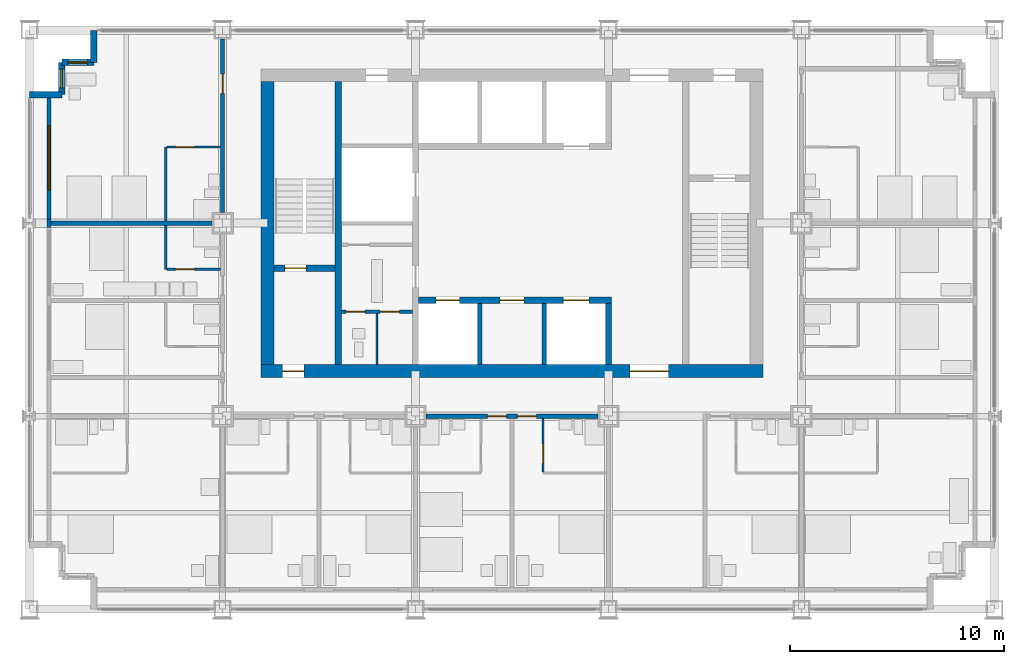
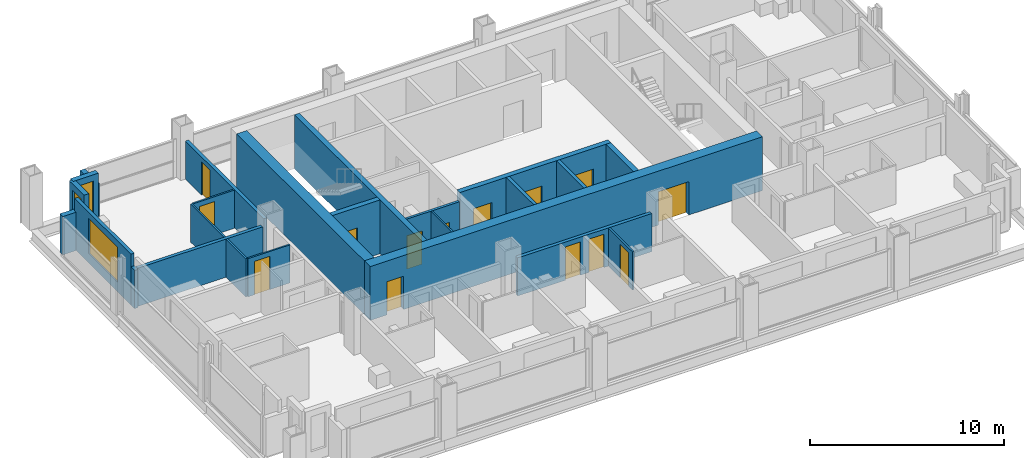
# One storey, part 8 of 13: 24 walls, 14 doors, 3 windows, 17 openings.
"""IFC4 building model written with IfcOpenShell, lengths in metres."""

import ifcopenshell
import ifcopenshell.guid

model = None  # the IFC model being written
_history = None  # IfcOwnerHistory: only IFC2X3 demands one
_inside = {}  # id of a spatial element -> (the spatial element, [elements in it])
_under = {}  # id of a project, library or spatial element -> (it, [spatial elements below it])
_declared = {}  # id of a project -> (the project, [libraries it declares])
_typed = {}  # id of a type object -> (the type object, [elements of that type])
_made_of = {}  # id of a material, layer set ... -> (it, [elements and type objects made of it])


def new_model(schema):
    """Start an empty IFC model of exactly this schema.

    Asked for "IFC4X3", IfcOpenShell would pick the latest addendum, in which some entities
    have other attributes; the version numbers below select the first issue.
    IFC2X3 requires an IfcOwnerHistory on every rooted entity: one is made here for all.
    """
    global model, _history
    if schema == "IFC4X3":
        model = ifcopenshell.file(schema_version=(4, 3, 0, 0))
    else:
        model = ifcopenshell.file(schema=schema)
    _inside.clear()
    _under.clear()
    _declared.clear()
    _typed.clear()
    _made_of.clear()
    _history = None
    if model.schema == "IFC2X3":
        org = make("IfcOrganization", Name="unknown")
        user = make(
            "IfcPersonAndOrganization",
            ThePerson=make("IfcPerson", FamilyName="unknown"),
            TheOrganization=org,
        )
        app = make(
            "IfcApplication",
            ApplicationDeveloper=org,
            Version="unknown",
            ApplicationFullName="unknown",
            ApplicationIdentifier="unknown",
        )
        _history = make(
            "IfcOwnerHistory",
            OwningUser=user,
            OwningApplication=app,
            ChangeAction="ADDED",
            CreationDate=0,
        )
    return model


def make(cls, **values):
    """One entity of the class cls with the attributes given. An attribute that is None is left unset."""
    return model.create_entity(
        cls, **{name: value for name, value in values.items() if value is not None}
    )


def rooted(cls, **values):
    """An entity with a GlobalId (a new one), such as an element, a storey or a relation."""
    return make(cls, GlobalId=ifcopenshell.guid.new(), OwnerHistory=_history, **values)


def si_unit(unit_type, name, prefix=None):
    """IfcSIUnit, for example si_unit("LENGTHUNIT", "METRE", prefix="MILLI")."""
    return make("IfcSIUnit", UnitType=unit_type, Prefix=prefix, Name=name)


def assignment(units):
    """IfcUnitAssignment: the units of a project."""
    return None if units is None else make("IfcUnitAssignment", Units=units)


def point(xyz):
    """IfcCartesianPoint."""
    return None if xyz is None else make("IfcCartesianPoint", Coordinates=xyz)


def direction(xyz):
    """IfcDirection."""
    return None if xyz is None else make("IfcDirection", DirectionRatios=xyz)


def frame(location, z_axis=None, x_axis=None):
    """IfcAxis2Placement3D, a coordinate frame: its origin and axes. An axis left out is left unset."""
    return make(
        "IfcAxis2Placement3D",
        Location=point(location),
        Axis=direction(z_axis),
        RefDirection=direction(x_axis),
    )


def frame_2d(location, x_axis=None):
    """IfcAxis2Placement2D, a coordinate frame in the plane: its origin and x axis."""
    return make(
        "IfcAxis2Placement2D", Location=point(location), RefDirection=direction(x_axis)
    )


def origin():
    """The frame at (0, 0, 0) with its axes left unset."""
    return frame((0.0, 0.0, 0.0))


def place(relative_to, where):
    """IfcLocalPlacement: puts the frame where relative to a parent placement (None: the world)."""
    return make(
        "IfcLocalPlacement", PlacementRelTo=relative_to, RelativePlacement=where
    )


def context(
    kind, dimensions, precision=None, world=None, true_north=None, identifier=None
):
    """IfcGeometricRepresentationContext, for example the 3D "Model" context."""
    return make(
        "IfcGeometricRepresentationContext",
        ContextIdentifier=identifier,
        ContextType=kind,
        CoordinateSpaceDimension=dimensions,
        Precision=precision,
        WorldCoordinateSystem=world,
        TrueNorth=true_north,
    )


def subcontext(parent, identifier, kind, view, scale=None):
    """IfcGeometricRepresentationSubContext, for example "Body" below "Model"."""
    return make(
        "IfcGeometricRepresentationSubContext",
        ContextIdentifier=identifier,
        ContextType=kind,
        ParentContext=parent,
        TargetScale=scale,
        TargetView=view,
    )


def project(units=None, contexts=None):
    """IfcProject with its units and contexts."""
    return rooted(
        "IfcProject",
        Name="project",
        RepresentationContexts=contexts,
        UnitsInContext=assignment(units),
    )


def spatial(cls, under=None, at=None, **own):
    """A site, building, storey or space (cls), placed at a placement, below another one or the project."""
    s = rooted(cls, ObjectPlacement=at, **own)
    if under is not None:
        _under.setdefault(under.id(), (under, []))[1].append(s)
    return s


def profile(cls, at=None, kind="AREA", **sizes):
    """A parametric profile (cls). Its sizes go by their IFC names, for example OverallWidth=200.0."""
    return make(cls, ProfileType=kind, Position=at, **sizes)


def rectangle(**sizes):
    """IfcRectangleProfileDef."""
    return profile("IfcRectangleProfileDef", **sizes)


def extrude(swept, where, along, depth):
    """IfcExtrudedAreaSolid: the profile swept, set in the frame where, extruded along a direction by depth."""
    return make(
        "IfcExtrudedAreaSolid",
        SweptArea=swept,
        Position=where,
        ExtrudedDirection=direction(along),
        Depth=depth,
    )


def shape(context_of_items, identifier, shape_type, items):
    """IfcShapeRepresentation: the items that make up one representation, for example the "Body"."""
    return make(
        "IfcShapeRepresentation",
        ContextOfItems=context_of_items,
        RepresentationIdentifier=identifier,
        RepresentationType=shape_type,
        Items=items,
    )


def material(Name=None, Category=None):
    """IfcMaterial."""
    return make("IfcMaterial", Name=Name, Category=Category)


def layer(
    of_material, thickness, ventilated=None, Name=None, Category=None, Priority=None
):
    """IfcMaterialLayer: one layer of a wall or slab, of a material (None: an air gap)."""
    return make(
        "IfcMaterialLayer",
        Material=of_material,
        LayerThickness=thickness,
        IsVentilated=ventilated,
        Name=Name,
        Category=Category,
        Priority=Priority,
    )


def layer_set(layers, Name=None):
    """IfcMaterialLayerSet."""
    return make("IfcMaterialLayerSet", MaterialLayers=layers, LayerSetName=Name)


def made_of(thing, what):
    """Note that an element or type object is made of a material, layer set ...; save() writes the relation."""
    if what is not None:
        _made_of.setdefault(what.id(), (what, []))[1].append(thing)
    return thing


def type_object(cls, material=None, **own):
    """A type object (cls), such as IfcWallType, which elements share."""
    return made_of(rooted(cls, **own), material)


def element(
    cls,
    number,
    at=None,
    inside=None,
    cuts=None,
    type_object=None,
    material=None,
    context=None,
    identifier="Body",
    shape_type=None,
    held_by="IfcProductDefinitionShape",
    body=None,
    shapes=None,
    **own,
):
    """One element of the class cls, such as IfcWall. Its Tag is "e" and its number.

    at: its placement. inside: the storey or other place that contains it. cuts: it is an
    opening in that element (IfcRelVoidsElement). A single representation is given by context,
    identifier, shape_type and body (its items); several are given by shapes. held_by: the class
    of the entity that holds the representations. save() writes the other relations.
    """
    e = rooted(cls, Tag="e%d" % number, ObjectPlacement=at, **own)
    if body is not None:
        shapes = [shape(context, identifier, shape_type, body)]
    if shapes is not None:
        e.Representation = make(held_by, Representations=shapes)
    if inside is not None:
        _inside.setdefault(inside.id(), (inside, []))[1].append(e)
    if cuts is not None:
        rooted(
            "IfcRelVoidsElement", RelatingBuildingElement=cuts, RelatedOpeningElement=e
        )
    if type_object is not None:
        _typed.setdefault(type_object.id(), (type_object, []))[1].append(e)
    return made_of(e, material)


def fill(opening, filler):
    """IfcRelFillsElement: the door or window that sits in an opening."""
    return rooted(
        "IfcRelFillsElement",
        RelatingOpeningElement=opening,
        RelatedBuildingElement=filler,
    )


def aggregate(whole, parts):
    """IfcRelAggregates: a whole, such as a stair, and the parts it consists of."""
    return rooted("IfcRelAggregates", RelatingObject=whole, RelatedObjects=parts)


def save(model, path):
    """Write the relations noted so far, then the file.

    IfcRelAggregates (storeys below a building ...), IfcRelContainedInSpatialStructure (elements
    in a storey), IfcRelDefinesByType, IfcRelAssociatesMaterial and IfcRelDeclares: one each for
    every whole, place, type object, material and project.
    """
    for whole, parts in _under.values():
        aggregate(whole, parts)
    for where, things in _inside.values():
        rooted(
            "IfcRelContainedInSpatialStructure",
            RelatedElements=things,
            RelatingStructure=where,
        )
    for kind, things in _typed.values():
        rooted("IfcRelDefinesByType", RelatedObjects=things, RelatingType=kind)
    for what, things in _made_of.values():
        rooted("IfcRelAssociatesMaterial", RelatedObjects=things, RelatingMaterial=what)
    for by, libraries in _declared.values():
        rooted("IfcRelDeclares", RelatingContext=by, RelatedDefinitions=libraries)
    model.write(path)


model = new_model("IFC4")

# Units and contexts
model_context = context("Model", 3, precision=1e-05, world=origin(), true_north=direction((0.0, 1.0)))
body_context = subcontext(model_context, "Body", "Model", "MODEL_VIEW")
ifc_project = project(units=[si_unit("LENGTHUNIT", "METRE"), si_unit("AREAUNIT", "SQUARE_METRE"), si_unit("VOLUMEUNIT", "CUBIC_METRE"), si_unit("PLANEANGLEUNIT", "RADIAN"), si_unit("MASSUNIT", "GRAM", prefix="KILO")], contexts=[model_context])

# Site, building, storey
site_placement = place(None, origin())
site = spatial("IfcSite", under=ifc_project, at=site_placement, CompositionType="ELEMENT")
building_placement = place(site_placement, origin())
building = spatial("IfcBuilding", under=site, at=building_placement, Name="Loomwork Tower", CompositionType="ELEMENT")
storey_placement = place(building_placement, frame((0.0, 0.0, 163.800048828125)))
storey = spatial("IfcBuildingStorey", under=building, at=storey_placement, Name="L44", CompositionType="ELEMENT", Elevation=163.800048828125)

# Wall
ifc_material_1 = material(Name="Concrete 14000 psi (97 MPa)", Category="concrete")
ifc_layer_1 = layer(ifc_material_1, 0.300048828125)
ifc_layer_set_1 = layer_set([ifc_layer_1], Name="Core shear wall 300")
wall_type_1 = type_object("IfcWallType", Name="Core shear wall 300", PredefinedType="SHEAR", material=ifc_layer_set_1)
wall_1_placement = place(storey_placement, frame((14.39990234375, 11.39990234375, 0.0), z_axis=(0.0, 0.0, 1.0), x_axis=(0.0, 1.0, 0.0)))
element("IfcWall", 1, at=wall_1_placement, inside=storey, type_object=wall_type_1, Name="Stair A east wall L44", PredefinedType="SHEAR", context=body_context, shape_type="SweptSolid", body=[
    extrude(rectangle(XDim=13.2001953125, YDim=0.300048828125, at=frame_2d((6.60009765625, 0.0))), origin(), (0.0, 0.0, 1.0), 3.39990234375),
])

# Wall, opening, door
wall_2_placement = place(storey_placement, frame((11.39990234375, 15.89990234375, 0.0), z_axis=(0.0, 0.0, 1.0), x_axis=(1.0, 0.0, 0.0)))
wall_2 = element("IfcWall", 2, at=wall_2_placement, inside=storey, type_object=wall_type_1, Name="Stair A south wall L44", PredefinedType="SHEAR", context=body_context, shape_type="SweptSolid", body=[
    extrude(rectangle(XDim=2.85009765625, YDim=0.300048828125, at=frame_2d((1.425048828125, 0.0))), origin(), (0.0, 0.0, 1.0), 3.39990234375),
])
opening_1_placement = place(wall_2_placement, frame((0.5, 0.0, 0.0)))
opening_1 = element("IfcOpeningElement", 3, at=opening_1_placement, cuts=wall_2, Name="Opening D4", PredefinedType="OPENING", context=body_context, shape_type="SweptSolid", body=[
    extrude(rectangle(XDim=1.0, YDim=2.10009765625, at=frame_2d((0.5, 1.050048828125))), frame((0.0, 0.159912109375, 0.0), z_axis=(0.0, -1.0, 0.0), x_axis=(1.0, 0.0, 0.0)), (0.0, 0.0, 1.0), 0.320068359375),
])
ifc_material_2 = material(Name="Hollow metal door and frame")
door_type_1 = type_object("IfcDoorType", Name="Stair door 1000", OperationType="SINGLE_SWING_RIGHT", PredefinedType="DOOR", material=ifc_material_2)
door_1_placement = place(opening_1_placement, origin())
door_1 = element("IfcDoor", 4, at=door_1_placement, inside=storey, type_object=door_type_1, Name="Stair A door", OperationType="SINGLE_SWING_LEFT", OverallHeight=2.10009765625, OverallWidth=1.0, PredefinedType="DOOR", context=body_context, shape_type="SweptSolid", body=[
    extrude(rectangle(XDim=1.0, YDim=2.10009765625, at=frame_2d((0.5, 1.050048828125))), frame((0.0, 0.02490234375, 0.0), z_axis=(0.0, -1.0, 0.0), x_axis=(1.0, 0.0, 0.0)), (0.0, 0.0, 1.0), 0.050048828125),
])
fill(opening_1, door_1)

# Wall, openings, doors
wall_3_placement = place(storey_placement, frame((18.14990234375, 14.39990234375, 0.0), z_axis=(0.0, 0.0, 1.0), x_axis=(1.0, 0.0, 0.0)))
wall_3 = element("IfcWall", 5, at=wall_3_placement, inside=storey, type_object=wall_type_1, Name="Lift front wall south L44", PredefinedType="SHEAR", context=body_context, shape_type="SweptSolid", body=[
    extrude(rectangle(XDim=9.0, YDim=0.300048828125, at=frame_2d((4.5, 0.0))), origin(), (0.0, 0.0, 1.0), 3.39990234375),
])
opening_2_placement = place(wall_3_placement, frame((0.800048828125, 0.0, 0.0)))
opening_2 = element("IfcOpeningElement", 6, at=opening_2_placement, cuts=wall_3, Name="Opening LD1", PredefinedType="OPENING", context=body_context, shape_type="SweptSolid", body=[
    extrude(rectangle(XDim=1.10009765625, YDim=2.10009765625, at=frame_2d((0.550048828125, 1.050048828125))), frame((0.0, 0.159912109375, 0.0), z_axis=(0.0, -1.0, 0.0), x_axis=(1.0, 0.0, 0.0)), (0.0, 0.0, 1.0), 0.320068359375),
])
opening_3_placement = place(wall_3_placement, frame((6.75, 0.0, 0.0)))
opening_3 = element("IfcOpeningElement", 7, at=opening_3_placement, cuts=wall_3, Name="Opening LD2", PredefinedType="OPENING", context=body_context, shape_type="SweptSolid", body=[
    extrude(rectangle(XDim=1.199951171875, YDim=2.10009765625, at=frame_2d((0.60009765625, 1.050048828125))), frame((0.0, 0.159912109375, 0.0), z_axis=(0.0, -1.0, 0.0), x_axis=(1.0, 0.0, 0.0)), (0.0, 0.0, 1.0), 0.320068359375),
])
opening_4_placement = place(wall_3_placement, frame((3.800048828125, 0.0, 0.0)))
opening_4 = element("IfcOpeningElement", 8, at=opening_4_placement, cuts=wall_3, Name="Opening D17", PredefinedType="OPENING", context=body_context, shape_type="SweptSolid", body=[
    extrude(rectangle(XDim=1.10009765625, YDim=2.10009765625, at=frame_2d((0.550048828125, 1.050048828125))), frame((0.0, 0.159912109375, 0.0), z_axis=(0.0, -1.0, 0.0), x_axis=(1.0, 0.0, 0.0)), (0.0, 0.0, 1.0), 0.320068359375),
])
ifc_material_3 = material(Name="Hollow metal door and frame")
door_type_2 = type_object("IfcDoorType", Name="Lift landing door 1100", OperationType="SLIDING_TO_LEFT", PredefinedType="DOOR", material=ifc_material_3)
door_2_placement = place(opening_2_placement, origin())
door_2 = element("IfcDoor", 9, at=door_2_placement, inside=storey, type_object=door_type_2, Name="Lift landing door LC1", OperationType="SLIDING_TO_LEFT", OverallHeight=2.10009765625, OverallWidth=1.10009765625, PredefinedType="DOOR", context=body_context, shape_type="SweptSolid", body=[
    extrude(rectangle(XDim=1.10009765625, YDim=2.10009765625, at=frame_2d((0.550048828125, 1.050048828125))), frame((0.0, 0.02490234375, 0.0), z_axis=(0.0, -1.0, 0.0), x_axis=(1.0, 0.0, 0.0)), (0.0, 0.0, 1.0), 0.050048828125),
])
fill(opening_2, door_2)
ifc_material_4 = material(Name="Hollow metal door and frame")
door_type_3 = type_object("IfcDoorType", Name="Lift landing door 1200", OperationType="SLIDING_TO_LEFT", PredefinedType="DOOR", material=ifc_material_4)
door_3_placement = place(opening_3_placement, origin())
door_3 = element("IfcDoor", 10, at=door_3_placement, inside=storey, type_object=door_type_3, Name="Lift landing door LF1", OperationType="SLIDING_TO_LEFT", OverallHeight=2.10009765625, OverallWidth=1.199951171875, PredefinedType="DOOR", context=body_context, shape_type="SweptSolid", body=[
    extrude(rectangle(XDim=1.199951171875, YDim=2.10009765625, at=frame_2d((0.60009765625, 1.050048828125))), frame((0.0, 0.02490234375, 0.0), z_axis=(0.0, -1.0, 0.0), x_axis=(1.0, 0.0, 0.0)), (0.0, 0.0, 1.0), 0.050048828125),
])
fill(opening_3, door_3)
ifc_material_5 = material(Name="Hollow metal door and frame")
door_type_4 = type_object("IfcDoorType", Name="Service room door 1100", OperationType="SINGLE_SWING_LEFT", PredefinedType="DOOR", material=ifc_material_5)
door_4_placement = place(opening_4_placement, frame((1.10009765625, 0.0, 0.0), z_axis=(0.0, 0.0, 1.0), x_axis=(-1.0, 0.0, 0.0)))
door_4 = element("IfcDoor", 11, at=door_4_placement, inside=storey, type_object=door_type_4, Name="Linen and housekeeping store door L44", OperationType="SINGLE_SWING_RIGHT", OverallHeight=2.10009765625, OverallWidth=1.10009765625, PredefinedType="DOOR", context=body_context, shape_type="SweptSolid", body=[
    extrude(rectangle(XDim=1.10009765625, YDim=2.10009765625, at=frame_2d((0.550048828125, 1.050048828125))), frame((0.0, 0.02490234375, 0.0), z_axis=(0.0, -1.0, 0.0), x_axis=(1.0, 0.0, 0.0)), (0.0, 0.0, 1.0), 0.050048828125),
])
fill(opening_4, door_4)

# Wall
wall_4_placement = place(storey_placement, frame((27.0, 11.39990234375, 0.0), z_axis=(0.0, 0.0, 1.0), x_axis=(0.0, 1.0, 0.0)))
element("IfcWall", 12, at=wall_4_placement, inside=storey, type_object=wall_type_1, Name="Lift shaft end wall south L44", PredefinedType="SHEAR", context=body_context, shape_type="SweptSolid", body=[
    extrude(rectangle(XDim=2.85009765625, YDim=0.300048828125, at=frame_2d((1.425048828125, 0.0))), origin(), (0.0, 0.0, 1.0), 3.39990234375),
])

# Wall, openings, doors
ifc_material_6 = material(Name="Concrete 14000 psi (97 MPa)", Category="concrete")
ifc_layer_2 = layer(ifc_material_6, 0.60009765625)
ifc_layer_set_2 = layer_set([ifc_layer_2], Name="Core shear wall 600")
wall_type_2 = type_object("IfcWallType", Name="Core shear wall 600", PredefinedType="SHEAR", material=ifc_layer_set_2)
wall_5_placement = place(storey_placement, frame((10.800048828125, 11.10009765625, 0.0), z_axis=(0.0, 0.0, 1.0), x_axis=(1.0, 0.0, 0.0)))
wall_5 = element("IfcWall", 13, at=wall_5_placement, inside=storey, type_object=wall_type_2, Name="Core wall south L44", PredefinedType="SHEAR", context=body_context, shape_type="SweptSolid", body=[
    extrude(rectangle(XDim=23.39990234375, YDim=0.60009765625, at=frame_2d((11.699951171875, 0.0))), origin(), (0.0, 0.0, 1.0), 3.39990234375),
])
opening_5_placement = place(wall_5_placement, frame((1.0, 0.0, 0.0)))
opening_5 = element("IfcOpeningElement", 14, at=opening_5_placement, cuts=wall_5, Name="Opening D4", PredefinedType="OPENING", context=body_context, shape_type="SweptSolid", body=[
    extrude(rectangle(XDim=1.0, YDim=2.10009765625, at=frame_2d((0.5, 1.050048828125))), frame((0.0, 0.31005859375, 0.0), z_axis=(0.0, -1.0, 0.0), x_axis=(1.0, 0.0, 0.0)), (0.0, 0.0, 1.0), 0.6201171875),
])
opening_6_placement = place(wall_5_placement, frame((17.199951171875, 0.0, 0.0)))
opening_6 = element("IfcOpeningElement", 15, at=opening_6_placement, cuts=wall_5, Name="Opening D6", PredefinedType="OPENING", context=body_context, shape_type="SweptSolid", body=[
    extrude(rectangle(XDim=1.800048828125, YDim=2.10009765625, at=frame_2d((0.89990234375, 1.050048828125))), frame((0.0, 0.31005859375, 0.0), z_axis=(0.0, -1.0, 0.0), x_axis=(1.0, 0.0, 0.0)), (0.0, 0.0, 1.0), 0.6201171875),
])
ifc_material_7 = material(Name="Hollow metal door and frame")
door_type_5 = type_object("IfcDoorType", Name="Lobby passage double door 1800", OperationType="DOUBLE_DOOR_SINGLE_SWING", PredefinedType="DOOR", material=ifc_material_7)
door_5_placement = place(opening_6_placement, origin())
door_5 = element("IfcDoor", 16, at=door_5_placement, inside=storey, type_object=door_type_5, Name="Lobby passage door south", OperationType="DOUBLE_DOOR_SINGLE_SWING", OverallHeight=2.10009765625, OverallWidth=1.800048828125, PredefinedType="DOOR", context=body_context, shape_type="SweptSolid", body=[
    extrude(rectangle(XDim=1.800048828125, YDim=2.10009765625, at=frame_2d((0.89990234375, 1.050048828125))), frame((0.0, 0.02490234375, 0.0), z_axis=(0.0, -1.0, 0.0), x_axis=(1.0, 0.0, 0.0)), (0.0, 0.0, 1.0), 0.050048828125),
])
fill(opening_6, door_5)
door_6_placement = place(opening_5_placement, origin())
door_6 = element("IfcDoor", 17, at=door_6_placement, inside=storey, type_object=door_type_1, Name="Stair A vestibule door", OperationType="SINGLE_SWING_LEFT", OverallHeight=2.10009765625, OverallWidth=1.0, PredefinedType="DOOR", context=body_context, shape_type="SweptSolid", body=[
    extrude(rectangle(XDim=1.0, YDim=2.10009765625, at=frame_2d((0.5, 1.050048828125))), frame((0.0, 0.02490234375, 0.0), z_axis=(0.0, -1.0, 0.0), x_axis=(1.0, 0.0, 0.0)), (0.0, 0.0, 1.0), 0.050048828125),
])
fill(opening_5, door_6)

# Wall
wall_6_placement = place(storey_placement, frame((11.10009765625, 11.39990234375, 0.0), z_axis=(0.0, 0.0, 1.0), x_axis=(0.0, 1.0, 0.0)))
element("IfcWall", 18, at=wall_6_placement, inside=storey, type_object=wall_type_2, Name="Core wall west L44", PredefinedType="SHEAR", context=body_context, shape_type="SweptSolid", body=[
    extrude(rectangle(XDim=13.2001953125, YDim=0.60009765625, at=frame_2d((6.60009765625, 0.0))), origin(), (0.0, 0.0, 1.0), 3.39990234375),
])

# Wall, openings, doors
ifc_material_8 = material(Name="Gypsum board on steel studs, one-hour", Category="steel")
ifc_layer_3 = layer(ifc_material_8, 0.199951171875)
ifc_layer_set_3 = layer_set([ifc_layer_3], Name="Corridor wall 200")
wall_type_3 = type_object("IfcWallType", Name="Corridor wall 200", PredefinedType="PARTITIONING", material=ifc_layer_set_3)
wall_7_placement = place(storey_placement, frame((18.5, 9.0, 0.0), z_axis=(0.0, 0.0, 1.0), x_axis=(1.0, 0.0, 0.0)))
wall_7 = element("IfcWall", 19, at=wall_7_placement, inside=storey, type_object=wall_type_3, Name="South corridor wall 3", PredefinedType="PARTITIONING", context=body_context, shape_type="SweptSolid", body=[
    extrude(rectangle(XDim=8.0, YDim=0.199951171875, at=frame_2d((4.0, 0.0))), origin(), (0.0, 0.0, 1.0), 2.405029296875),
])
opening_7_placement = place(wall_7_placement, frame((2.85009765625, 0.0, 0.0)))
opening_7 = element("IfcOpeningElement", 20, at=opening_7_placement, cuts=wall_7, Name="Opening D1", PredefinedType="OPENING", context=body_context, shape_type="SweptSolid", body=[
    extrude(rectangle(XDim=0.89990234375, YDim=2.10009765625, at=frame_2d((0.449951171875, 1.050048828125))), frame((0.0, 0.10986328125, 0.0), z_axis=(0.0, -1.0, 0.0), x_axis=(1.0, 0.0, 0.0)), (0.0, 0.0, 1.0), 0.219970703125),
])
opening_8_placement = place(wall_7_placement, frame((4.25, 0.0, 0.0)))
opening_8 = element("IfcOpeningElement", 21, at=opening_8_placement, cuts=wall_7, Name="Opening D1", PredefinedType="OPENING", context=body_context, shape_type="SweptSolid", body=[
    extrude(rectangle(XDim=0.89990234375, YDim=2.10009765625, at=frame_2d((0.449951171875, 1.050048828125))), frame((0.0, 0.10986328125, 0.0), z_axis=(0.0, -1.0, 0.0), x_axis=(1.0, 0.0, 0.0)), (0.0, 0.0, 1.0), 0.219970703125),
])
ifc_material_9 = material(Name="Hollow metal door and frame")
door_type_6 = type_object("IfcDoorType", Name="Guest room entry door 900", OperationType="SINGLE_SWING_LEFT", PredefinedType="DOOR", material=ifc_material_9)
door_7_placement = place(opening_7_placement, frame((0.89990234375, 0.0, 0.0), z_axis=(0.0, 0.0, 1.0), x_axis=(-1.0, 0.0, 0.0)))
door_7 = element("IfcDoor", 22, at=door_7_placement, inside=storey, type_object=door_type_6, Name="Guest room entry door L44 4", OperationType="SINGLE_SWING_LEFT", OverallHeight=2.10009765625, OverallWidth=0.89990234375, PredefinedType="DOOR", context=body_context, shape_type="SweptSolid", body=[
    extrude(rectangle(XDim=0.89990234375, YDim=2.10009765625, at=frame_2d((0.449951171875, 1.050048828125))), frame((0.0, 0.02490234375, 0.0), z_axis=(0.0, -1.0, 0.0), x_axis=(1.0, 0.0, 0.0)), (0.0, 0.0, 1.0), 0.050048828125),
])
fill(opening_7, door_7)
door_8_placement = place(opening_8_placement, frame((0.89990234375, 0.0, 0.0), z_axis=(0.0, 0.0, 1.0), x_axis=(-1.0, 0.0, 0.0)))
door_8 = element("IfcDoor", 23, at=door_8_placement, inside=storey, type_object=door_type_6, Name="Guest room entry door L44 5", OperationType="SINGLE_SWING_RIGHT", OverallHeight=2.10009765625, OverallWidth=0.89990234375, PredefinedType="DOOR", context=body_context, shape_type="SweptSolid", body=[
    extrude(rectangle(XDim=0.89990234375, YDim=2.10009765625, at=frame_2d((0.449951171875, 1.050048828125))), frame((0.0, 0.02490234375, 0.0), z_axis=(0.0, -1.0, 0.0), x_axis=(1.0, 0.0, 0.0)), (0.0, 0.0, 1.0), 0.050048828125),
])
fill(opening_8, door_8)

# Wall, opening, door
wall_8_placement = place(storey_placement, frame((9.0, 18.5, 0.0), z_axis=(0.0, 0.0, 1.0), x_axis=(0.0, 1.0, 0.0)))
wall_8 = element("IfcWall", 24, at=wall_8_placement, inside=storey, type_object=wall_type_3, Name="West corridor wall 2", PredefinedType="PARTITIONING", context=body_context, shape_type="SweptSolid", body=[
    extrude(rectangle(XDim=8.10009765625, YDim=0.199951171875, at=frame_2d((4.050048828125, 0.0))), origin(), (0.0, 0.0, 1.0), 2.405029296875),
])
opening_9_placement = place(wall_8_placement, frame((5.550048828125, 0.0, 0.0)))
opening_9 = element("IfcOpeningElement", 25, at=opening_9_placement, cuts=wall_8, Name="Opening D1", PredefinedType="OPENING", context=body_context, shape_type="SweptSolid", body=[
    extrude(rectangle(XDim=0.89990234375, YDim=2.10009765625, at=frame_2d((0.449951171875, 1.050048828125))), frame((0.0, 0.10986328125, 0.0), z_axis=(0.0, -1.0, 0.0), x_axis=(1.0, 0.0, 0.0)), (0.0, 0.0, 1.0), 0.219970703125),
])
door_9_placement = place(opening_9_placement, origin())
door_9 = element("IfcDoor", 26, at=door_9_placement, inside=storey, type_object=door_type_6, Name="Guest room entry door L44 10", OperationType="SINGLE_SWING_RIGHT", OverallHeight=2.10009765625, OverallWidth=0.89990234375, PredefinedType="DOOR", context=body_context, shape_type="SweptSolid", body=[
    extrude(rectangle(XDim=0.89990234375, YDim=2.10009765625, at=frame_2d((0.449951171875, 1.050048828125))), frame((0.0, 0.02490234375, 0.0), z_axis=(0.0, -1.0, 0.0), x_axis=(1.0, 0.0, 0.0)), (0.0, 0.0, 1.0), 0.050048828125),
])
fill(opening_9, door_9)

ifc_material_10 = material(Name="Cement board on steel studs", Category="steel")
ifc_layer_4 = layer(ifc_material_10, 0.10009765625)
ifc_layer_set_4 = layer_set([ifc_layer_4], Name="En-suite partition 100")
wall_type_4 = type_object("IfcWallType", Name="En-suite partition 100", PredefinedType="PARTITIONING", material=ifc_layer_set_4)
wall_9_placement = place(storey_placement, frame((23.949951171875, 8.89990234375, 0.0), z_axis=(0.0, 0.0, 1.0), x_axis=(0.0, -1.0, 0.0)))
wall_9 = element("IfcWall", 27, at=wall_9_placement, inside=storey, type_object=wall_type_4, Name="En-suite side wall L44 room 5", PredefinedType="PARTITIONING", context=body_context, shape_type="SweptSolid", body=[
    extrude(rectangle(XDim=2.5, YDim=0.10009765625, at=frame_2d((1.25, 0.0))), origin(), (0.0, 0.0, 1.0), 2.404052734375),
])
opening_10_placement = place(wall_9_placement, frame((1.199951171875, 0.0, 0.0)))
opening_10 = element("IfcOpeningElement", 28, at=opening_10_placement, cuts=wall_9, Name="Opening D2", PredefinedType="OPENING", context=body_context, shape_type="SweptSolid", body=[
    extrude(rectangle(XDim=0.89990234375, YDim=2.10009765625, at=frame_2d((0.449951171875, 1.050048828125))), frame((0.0, 0.06005859375, 0.0), z_axis=(0.0, -1.0, 0.0), x_axis=(1.0, 0.0, 0.0)), (0.0, 0.0, 1.0), 0.1201171875),
])
ifc_material_11 = material(Name="Hollow metal door and frame")
door_type_7 = type_object("IfcDoorType", Name="En-suite door 900", OperationType="SINGLE_SWING_LEFT", PredefinedType="DOOR", material=ifc_material_11)
door_10_placement = place(opening_10_placement, origin())
door_10 = element("IfcDoor", 29, at=door_10_placement, inside=storey, type_object=door_type_7, Name="En-suite door room 5", OperationType="SINGLE_SWING_RIGHT", OverallHeight=2.10009765625, OverallWidth=0.89990234375, PredefinedType="DOOR", context=body_context, shape_type="SweptSolid", body=[
    extrude(rectangle(XDim=0.89990234375, YDim=2.10009765625, at=frame_2d((0.449951171875, 1.050048828125))), frame((0.0, 0.02490234375, 0.0), z_axis=(0.0, -1.0, 0.0), x_axis=(1.0, 0.0, 0.0)), (0.0, 0.0, 1.0), 0.050048828125),
])
fill(opening_10, door_10)

# Wall
wall_10_placement = place(storey_placement, frame((6.35009765625, 15.85009765625, 0.0), z_axis=(0.0, 0.0, 1.0), x_axis=(0.0, 1.0, 0.0)))
element("IfcWall", 30, at=wall_10_placement, inside=storey, type_object=wall_type_4, Name="En-suite wall L44 room 9", PredefinedType="PARTITIONING", context=body_context, shape_type="SweptSolid", body=[
    extrude(rectangle(XDim=2.0498046875, YDim=0.10009765625, at=frame_2d((1.02490234375, 0.0))), origin(), (0.0, 0.0, 1.0), 2.404052734375),
])

# Wall, opening, door
wall_11_placement = place(storey_placement, frame((8.89990234375, 15.85009765625, 0.0), z_axis=(0.0, 0.0, 1.0), x_axis=(-1.0, 0.0, 0.0)))
wall_11 = element("IfcWall", 31, at=wall_11_placement, inside=storey, type_object=wall_type_4, Name="En-suite side wall L44 room 9", PredefinedType="PARTITIONING", context=body_context, shape_type="SweptSolid", body=[
    extrude(rectangle(XDim=2.5, YDim=0.10009765625, at=frame_2d((1.25, 0.0))), origin(), (0.0, 0.0, 1.0), 2.404052734375),
])
opening_11_placement = place(wall_11_placement, frame((1.199951171875, 0.0, 0.0)))
opening_11 = element("IfcOpeningElement", 32, at=opening_11_placement, cuts=wall_11, Name="Opening D2", PredefinedType="OPENING", context=body_context, shape_type="SweptSolid", body=[
    extrude(rectangle(XDim=0.89990234375, YDim=2.10009765625, at=frame_2d((0.449951171875, 1.050048828125))), frame((0.0, 0.06005859375, 0.0), z_axis=(0.0, -1.0, 0.0), x_axis=(1.0, 0.0, 0.0)), (0.0, 0.0, 1.0), 0.1201171875),
])
door_11_placement = place(opening_11_placement, frame((0.89990234375, 0.0, 0.0), z_axis=(0.0, 0.0, 1.0), x_axis=(-1.0, 0.0, 0.0)))
door_11 = element("IfcDoor", 33, at=door_11_placement, inside=storey, type_object=door_type_7, Name="En-suite door room 9", OperationType="SINGLE_SWING_LEFT", OverallHeight=2.10009765625, OverallWidth=0.89990234375, PredefinedType="DOOR", context=body_context, shape_type="SweptSolid", body=[
    extrude(rectangle(XDim=0.89990234375, YDim=2.10009765625, at=frame_2d((0.449951171875, 1.050048828125))), frame((0.0, 0.02490234375, 0.0), z_axis=(0.0, -1.0, 0.0), x_axis=(1.0, 0.0, 0.0)), (0.0, 0.0, 1.0), 0.050048828125),
])
fill(opening_11, door_11)

# Wall
wall_12_placement = place(storey_placement, frame((6.35009765625, 18.10009765625, 0.0), z_axis=(0.0, 0.0, 1.0), x_axis=(0.0, 1.0, 0.0)))
element("IfcWall", 34, at=wall_12_placement, inside=storey, type_object=wall_type_4, Name="En-suite wall L44 room 10", PredefinedType="PARTITIONING", context=body_context, shape_type="SweptSolid", body=[
    extrude(rectangle(XDim=3.449951171875, YDim=0.10009765625, at=frame_2d((1.72509765625, 0.0))), origin(), (0.0, 0.0, 1.0), 2.404052734375),
])

# Wall, opening, door
wall_13_placement = place(storey_placement, frame((8.89990234375, 21.550048828125, 0.0), z_axis=(0.0, 0.0, 1.0), x_axis=(-1.0, 0.0, 0.0)))
wall_13 = element("IfcWall", 35, at=wall_13_placement, inside=storey, type_object=wall_type_4, Name="En-suite side wall L44 room 10", PredefinedType="PARTITIONING", context=body_context, shape_type="SweptSolid", body=[
    extrude(rectangle(XDim=2.5, YDim=0.10009765625, at=frame_2d((1.25, 0.0))), origin(), (0.0, 0.0, 1.0), 2.404052734375),
])
opening_12_placement = place(wall_13_placement, frame((1.199951171875, 0.0, 0.0)))
opening_12 = element("IfcOpeningElement", 36, at=opening_12_placement, cuts=wall_13, Name="Opening D2", PredefinedType="OPENING", context=body_context, shape_type="SweptSolid", body=[
    extrude(rectangle(XDim=0.89990234375, YDim=2.10009765625, at=frame_2d((0.449951171875, 1.050048828125))), frame((0.0, 0.06005859375, 0.0), z_axis=(0.0, -1.0, 0.0), x_axis=(1.0, 0.0, 0.0)), (0.0, 0.0, 1.0), 0.1201171875),
])
door_12_placement = place(opening_12_placement, origin())
door_12 = element("IfcDoor", 37, at=door_12_placement, inside=storey, type_object=door_type_7, Name="En-suite door room 10", OperationType="SINGLE_SWING_RIGHT", OverallHeight=2.10009765625, OverallWidth=0.89990234375, PredefinedType="DOOR", context=body_context, shape_type="SweptSolid", body=[
    extrude(rectangle(XDim=0.89990234375, YDim=2.10009765625, at=frame_2d((0.449951171875, 1.050048828125))), frame((0.0, 0.02490234375, 0.0), z_axis=(0.0, -1.0, 0.0), x_axis=(1.0, 0.0, 0.0)), (0.0, 0.0, 1.0), 0.050048828125),
])
fill(opening_12, door_12)

# Walls
wall_14_placement = place(storey_placement, frame((16.199951171875, 11.39990234375, 0.0), z_axis=(0.0, 0.0, 1.0), x_axis=(0.0, 1.0, 0.0)))
element("IfcWall", 38, at=wall_14_placement, inside=storey, type_object=wall_type_4, Name="Back-of-house partition L44 2", PredefinedType="PARTITIONING", context=body_context, shape_type="SweptSolid", body=[
    extrude(rectangle(XDim=2.400146484375, YDim=0.10009765625, at=frame_2d((1.2001953125, 0.0))), origin(), (0.0, 0.0, 1.0), 3.199951171875),
])
ifc_material_12 = material(Name="Gypsum board on steel studs, acoustic", Category="steel")
ifc_layer_5 = layer(ifc_material_12, 0.199951171875)
ifc_layer_set_5 = layer_set([ifc_layer_5], Name="Guest room party wall 200")
wall_type_5 = type_object("IfcWallType", Name="Guest room party wall 200", PredefinedType="PARTITIONING", material=ifc_layer_set_5)
wall_15_placement = place(storey_placement, frame((8.5, 18.0, 0.0), z_axis=(0.0, 0.0, 1.0), x_axis=(-1.0, 0.0, 0.0)))
element("IfcWall", 39, at=wall_15_placement, inside=storey, type_object=wall_type_5, Name="Guest room party wall W 18", PredefinedType="PARTITIONING", context=body_context, shape_type="SweptSolid", body=[
    extrude(rectangle(XDim=7.5, YDim=0.199951171875, at=frame_2d((3.75, 0.0))), origin(), (0.0, 0.0, 1.0), 2.405029296875),
])
ifc_material_13 = material(Name="Insulated steel stud wall with gypsum lining", Category="steel")
ifc_layer_6 = layer(ifc_material_13, 0.199951171875)
ifc_layer_set_6 = layer_set([ifc_layer_6], Name="Inner skin wall 200")
wall_type_6 = type_object("IfcWallType", Name="Inner skin wall 200", PredefinedType="SOLIDWALL", material=ifc_layer_set_6)
wall_16_placement = place(storey_placement, frame((0.89990234375, 17.80615234375, 0.0), z_axis=(0.0, 0.0, 1.0), x_axis=(0.0, 1.0, 0.0)))
element("IfcWall", 40, at=wall_16_placement, inside=storey, type_object=wall_type_6, Name="Inner skin wall W bay 6", PredefinedType="SOLIDWALL", context=body_context, shape_type="SweptSolid", body=[
    extrude(rectangle(XDim=0.3876953125, YDim=0.199951171875, at=frame_2d((0.19384765625, 0.0))), origin(), (0.0, 0.0, 1.0), 2.404052734375),
])

# Wall, opening, window
wall_17_placement = place(storey_placement, frame((0.89990234375, 18.19384765625, 0.0), z_axis=(0.0, 0.0, 1.0), x_axis=(0.0, 1.0, 0.0)))
wall_17 = element("IfcWall", 41, at=wall_17_placement, inside=storey, type_object=wall_type_6, Name="Inner skin wall W bay 7", PredefinedType="SOLIDWALL", context=body_context, shape_type="SweptSolid", body=[
    extrude(rectangle(XDim=5.80615234375, YDim=0.199951171875, at=frame_2d((2.903076171875, 0.0))), origin(), (0.0, 0.0, 1.0), 3.199951171875),
])
opening_13_placement = place(wall_17_placement, frame((1.356201171875, 0.0, 0.60009765625)))
opening_13 = element("IfcOpeningElement", 42, at=opening_13_placement, cuts=wall_17, Name="Opening CH1", PredefinedType="OPENING", context=body_context, shape_type="SweptSolid", body=[
    extrude(rectangle(XDim=3.0, YDim=2.199951171875, at=frame_2d((1.5, 1.10009765625))), frame((0.0, 0.10986328125, 0.0), z_axis=(0.0, -1.0, 0.0), x_axis=(1.0, 0.0, 0.0)), (0.0, 0.0, 1.0), 0.219970703125),
])
ifc_material_14 = material(Name="Aluminium frame with clear insulated glass", Category="aluminium")
window_type_1 = type_object("IfcWindowType", Name="Chicago window 3000", PartitioningType="TRIPLE_PANEL_VERTICAL", PredefinedType="WINDOW", material=ifc_material_14)
window_1_placement = place(opening_13_placement, origin())
window_1 = element("IfcWindow", 43, at=window_1_placement, inside=storey, type_object=window_type_1, Name="Chicago window L44 bay 7", OverallHeight=2.199951171875, OverallWidth=3.0, PartitioningType="TRIPLE_PANEL_VERTICAL", PredefinedType="WINDOW", context=body_context, shape_type="SweptSolid", body=[
    extrude(rectangle(XDim=3.0, YDim=2.199951171875, at=frame_2d((1.5, 1.10009765625))), frame((0.0, 0.030029296875, 0.0), z_axis=(0.0, -1.0, 0.0), x_axis=(1.0, 0.0, 0.0)), (0.0, 0.0, 1.0), 0.06005859375),
])
fill(opening_13, window_1)

# Walls
ifc_material_15 = material(Name="Concrete 14000 psi (97 MPa)", Category="concrete")
ifc_layer_7 = layer(ifc_material_15, 0.199951171875)
ifc_layer_set_7 = layer_set([ifc_layer_7], Name="Lift shaft wall 200")
wall_type_7 = type_object("IfcWallType", Name="Lift shaft wall 200", PredefinedType="SHEAR", material=ifc_layer_set_7)
for number, where, z_axis, x_axis, name in (
    (44, (21.0, 11.39990234375, 0.0), (0.0, 0.0, 1.0), (0.0, 1.0, 0.0), "Lift shaft separation wall south 1 L44"),
    (45, (24.0, 11.39990234375, 0.0), (0.0, 0.0, 1.0), (0.0, 1.0, 0.0), "Lift shaft separation wall south 2 L44"),
):
    element("IfcWall", number, at=place(storey_placement, frame(where, z_axis=z_axis, x_axis=x_axis)), inside=storey, type_object=wall_type_7, Name=name, PredefinedType="SHEAR", context=body_context, shape_type="SweptSolid", body=[
        extrude(rectangle(XDim=2.85009765625, YDim=0.199951171875, at=frame_2d((1.425048828125, 0.0))), origin(), (0.0, 0.0, 1.0), 3.39990234375),
    ])
ifc_material_16 = material(Name="Limestone on concrete masonry", Category="masonry")
ifc_layer_8 = layer(ifc_material_16, 0.300048828125)
ifc_layer_set_8 = layer_set([ifc_layer_8], Name="Limestone corner wall 300")
wall_type_8 = type_object("IfcWallType", Name="Limestone corner wall 300", PredefinedType="SOLIDWALL", material=ifc_layer_set_8)
wall_18_placement = place(storey_placement, frame((3.0, 27.0, 0.0), z_axis=(0.0, 0.0, 1.0), x_axis=(0.0, -1.0, 0.0)))
element("IfcWall", 46, at=wall_18_placement, inside=storey, type_object=wall_type_8, Name="Stone corner wall NW 1", PredefinedType="SOLIDWALL", context=body_context, shape_type="SweptSolid", body=[
    extrude(rectangle(XDim=1.5, YDim=0.300048828125, at=frame_2d((0.75, 0.0))), origin(), (0.0, 0.0, 1.0), 2.419921875),
])

# Wall, opening, window
wall_19_placement = place(storey_placement, frame((3.0, 25.5, 0.0), z_axis=(0.0, 0.0, 1.0), x_axis=(-1.0, 0.0, 0.0)))
wall_19 = element("IfcWall", 47, at=wall_19_placement, inside=storey, type_object=wall_type_8, Name="Stone corner wall NW 2", PredefinedType="SOLIDWALL", context=body_context, shape_type="SweptSolid", body=[
    extrude(rectangle(XDim=1.5, YDim=0.300048828125, at=frame_2d((0.75, 0.0))), origin(), (0.0, 0.0, 1.0), 3.199951171875),
])
opening_14_placement = place(wall_19_placement, frame((0.300048828125, 0.0, 0.60009765625)))
opening_14 = element("IfcOpeningElement", 48, at=opening_14_placement, cuts=wall_19, Name="Opening CH2", PredefinedType="OPENING", context=body_context, shape_type="SweptSolid", body=[
    extrude(rectangle(XDim=0.89990234375, YDim=2.199951171875, at=frame_2d((0.449951171875, 1.10009765625))), frame((0.0, 0.159912109375, 0.0), z_axis=(0.0, -1.0, 0.0), x_axis=(1.0, 0.0, 0.0)), (0.0, 0.0, 1.0), 0.320068359375),
])
ifc_material_17 = material(Name="Aluminium frame with clear insulated glass", Category="aluminium")
window_type_2 = type_object("IfcWindowType", Name="Corner window 900", PartitioningType="SINGLE_PANEL", PredefinedType="WINDOW", material=ifc_material_17)
window_2_placement = place(opening_14_placement, origin())
window_2 = element("IfcWindow", 49, at=window_2_placement, inside=storey, type_object=window_type_2, Name="Corner window NW", OverallHeight=2.199951171875, OverallWidth=0.89990234375, PartitioningType="SINGLE_PANEL", PredefinedType="WINDOW", context=body_context, shape_type="SweptSolid", body=[
    extrude(rectangle(XDim=0.89990234375, YDim=2.199951171875, at=frame_2d((0.449951171875, 1.10009765625))), frame((0.0, 0.030029296875, 0.0), z_axis=(0.0, -1.0, 0.0), x_axis=(1.0, 0.0, 0.0)), (0.0, 0.0, 1.0), 0.06005859375),
])
fill(opening_14, window_2)

wall_20_placement = place(storey_placement, frame((1.5, 25.5, 0.0), z_axis=(0.0, 0.0, 1.0), x_axis=(0.0, -1.0, 0.0)))
wall_20 = element("IfcWall", 50, at=wall_20_placement, inside=storey, type_object=wall_type_8, Name="Stone corner wall NW 3", PredefinedType="SOLIDWALL", context=body_context, shape_type="SweptSolid", body=[
    extrude(rectangle(XDim=1.5, YDim=0.300048828125, at=frame_2d((0.75, 0.0))), origin(), (0.0, 0.0, 1.0), 3.199951171875),
])
opening_15_placement = place(wall_20_placement, frame((0.300048828125, 0.0, 0.60009765625)))
opening_15 = element("IfcOpeningElement", 51, at=opening_15_placement, cuts=wall_20, Name="Opening CH2", PredefinedType="OPENING", context=body_context, shape_type="SweptSolid", body=[
    extrude(rectangle(XDim=0.89990234375, YDim=2.199951171875, at=frame_2d((0.449951171875, 1.10009765625))), frame((0.0, 0.159912109375, 0.0), z_axis=(0.0, -1.0, 0.0), x_axis=(1.0, 0.0, 0.0)), (0.0, 0.0, 1.0), 0.320068359375),
])
window_3_placement = place(opening_15_placement, origin())
window_3 = element("IfcWindow", 52, at=window_3_placement, inside=storey, type_object=window_type_2, Name="Corner window NW", OverallHeight=2.199951171875, OverallWidth=0.89990234375, PartitioningType="SINGLE_PANEL", PredefinedType="WINDOW", context=body_context, shape_type="SweptSolid", body=[
    extrude(rectangle(XDim=0.89990234375, YDim=2.199951171875, at=frame_2d((0.449951171875, 1.10009765625))), frame((0.0, 0.030029296875, 0.0), z_axis=(0.0, -1.0, 0.0), x_axis=(1.0, 0.0, 0.0)), (0.0, 0.0, 1.0), 0.06005859375),
])
fill(opening_15, window_3)

# Wall
wall_21_placement = place(storey_placement, frame((1.5, 24.0, 0.0), z_axis=(0.0, 0.0, 1.0), x_axis=(-1.0, 0.0, 0.0)))
element("IfcWall", 53, at=wall_21_placement, inside=storey, type_object=wall_type_8, Name="Stone corner wall NW 4", PredefinedType="SOLIDWALL", context=body_context, shape_type="SweptSolid", body=[
    extrude(rectangle(XDim=1.5, YDim=0.300048828125, at=frame_2d((0.75, 0.0))), origin(), (0.0, 0.0, 1.0), 2.419921875),
])

# Wall, openings, doors
ifc_material_18 = material(Name="Gypsum board on steel studs, one-hour", Category="steel")
ifc_layer_9 = layer(ifc_material_18, 0.14990234375)
ifc_layer_set_9 = layer_set([ifc_layer_9], Name="Service partition 150")
wall_type_9 = type_object("IfcWallType", Name="Service partition 150", PredefinedType="PARTITIONING", material=ifc_layer_set_9)
wall_22_placement = place(storey_placement, frame((14.550048828125, 13.875, 0.0), z_axis=(0.0, 0.0, 1.0), x_axis=(1.0, 0.0, 0.0)))
wall_22 = element("IfcWall", 54, at=wall_22_placement, inside=storey, type_object=wall_type_9, Name="Back-of-house partition L44", PredefinedType="PARTITIONING", context=body_context, shape_type="SweptSolid", body=[
    extrude(rectangle(XDim=3.300048828125, YDim=0.14990234375, at=frame_2d((1.64990234375, 0.0))), origin(), (0.0, 0.0, 1.0), 3.199951171875),
])
opening_16_placement = place(wall_22_placement, frame((0.199951171875, 0.0, 0.0)))
opening_16 = element("IfcOpeningElement", 55, at=opening_16_placement, cuts=wall_22, Name="Opening D20", PredefinedType="OPENING", context=body_context, shape_type="SweptSolid", body=[
    extrude(rectangle(XDim=0.89990234375, YDim=2.10009765625, at=frame_2d((0.449951171875, 1.050048828125))), frame((0.0, 0.0849609375, 0.0), z_axis=(0.0, -1.0, 0.0), x_axis=(1.0, 0.0, 0.0)), (0.0, 0.0, 1.0), 0.169921875),
])
opening_17_placement = place(wall_22_placement, frame((1.800048828125, 0.0, 0.0)))
opening_17 = element("IfcOpeningElement", 56, at=opening_17_placement, cuts=wall_22, Name="Opening D20", PredefinedType="OPENING", context=body_context, shape_type="SweptSolid", body=[
    extrude(rectangle(XDim=0.89990234375, YDim=2.10009765625, at=frame_2d((0.449951171875, 1.050048828125))), frame((0.0, 0.0849609375, 0.0), z_axis=(0.0, -1.0, 0.0), x_axis=(1.0, 0.0, 0.0)), (0.0, 0.0, 1.0), 0.169921875),
])
ifc_material_19 = material(Name="Hollow metal door and frame")
door_type_8 = type_object("IfcDoorType", Name="Back-of-house door 900", OperationType="SINGLE_SWING_LEFT", PredefinedType="DOOR", material=ifc_material_19)
door_13_placement = place(opening_16_placement, frame((0.89990234375, 0.0, 0.0), z_axis=(0.0, 0.0, 1.0), x_axis=(-1.0, 0.0, 0.0)))
door_13 = element("IfcDoor", 57, at=door_13_placement, inside=storey, type_object=door_type_8, Name="Back-of-house room door", OperationType="SINGLE_SWING_RIGHT", OverallHeight=2.10009765625, OverallWidth=0.89990234375, PredefinedType="DOOR", context=body_context, shape_type="SweptSolid", body=[
    extrude(rectangle(XDim=0.89990234375, YDim=2.10009765625, at=frame_2d((0.449951171875, 1.050048828125))), frame((0.0, 0.02490234375, 0.0), z_axis=(0.0, -1.0, 0.0), x_axis=(1.0, 0.0, 0.0)), (0.0, 0.0, 1.0), 0.050048828125),
])
fill(opening_16, door_13)
door_14_placement = place(opening_17_placement, frame((0.89990234375, 0.0, 0.0), z_axis=(0.0, 0.0, 1.0), x_axis=(-1.0, 0.0, 0.0)))
door_14 = element("IfcDoor", 58, at=door_14_placement, inside=storey, type_object=door_type_8, Name="Back-of-house room door", OperationType="SINGLE_SWING_RIGHT", OverallHeight=2.10009765625, OverallWidth=0.89990234375, PredefinedType="DOOR", context=body_context, shape_type="SweptSolid", body=[
    extrude(rectangle(XDim=0.89990234375, YDim=2.10009765625, at=frame_2d((0.449951171875, 1.050048828125))), frame((0.0, 0.02490234375, 0.0), z_axis=(0.0, -1.0, 0.0), x_axis=(1.0, 0.0, 0.0)), (0.0, 0.0, 1.0), 0.050048828125),
])
fill(opening_17, door_14)

save(model, "model.ifc")
